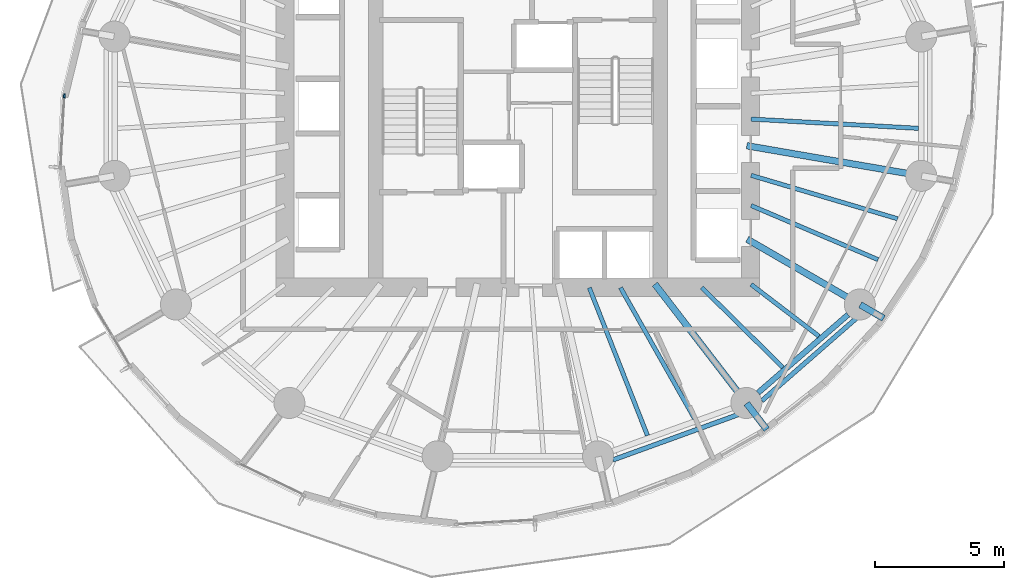
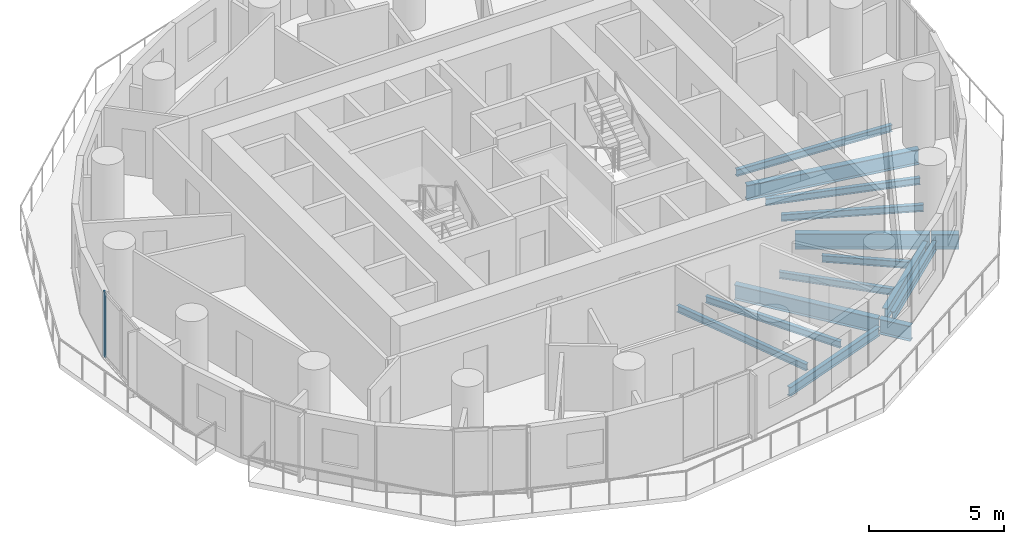
# One storey, part 3 of 15: 15 beams, 1 member, 1 element without a shape of its own.
"""IFC4 building model written with IfcOpenShell, lengths in metres."""

from ifc_helpers import new_model, si_unit, direction, frame, origin, origin_2d, place, context, subcontext, project, spatial, rectangle, i_section, extrude, material, material_profile, profile_set, type_object, element, aggregate, save


model = new_model("IFC4")

# Units and contexts
model_context = context("Model", 3, precision=1e-05, world=origin(), true_north=direction((0.0, 1.0)))
body_context = subcontext(model_context, "Body", "Model", "MODEL_VIEW")
ifc_project = project(units=[si_unit("LENGTHUNIT", "METRE"), si_unit("AREAUNIT", "SQUARE_METRE"), si_unit("VOLUMEUNIT", "CUBIC_METRE"), si_unit("PLANEANGLEUNIT", "RADIAN"), si_unit("MASSUNIT", "GRAM", prefix="KILO")], contexts=[model_context])

# Site, building, storey
site_placement = place(None, origin())
site = spatial("IfcSite", under=ifc_project, at=site_placement, CompositionType="ELEMENT")
building_placement = place(site_placement, origin())
building = spatial("IfcBuilding", under=site, at=building_placement, Name="Veldorim Arch Residences", CompositionType="ELEMENT")
storey_placement = place(building_placement, frame((0.0, 0.0, 106.080078125)))
storey = spatial("IfcBuildingStorey", under=building, at=storey_placement, Name="L31", CompositionType="ELEMENT", Elevation=106.080078125)

# Beams
ifc_material_1 = material(Name="Steel S355", Category="steel")
ifc_material_profile_1 = material_profile(ifc_material_1, i_section(OverallWidth=0.2119140625, OverallDepth=0.54443359375, WebThickness=0.0126953125, FlangeThickness=0.021240234375, at=origin_2d()), Name="UB533x210x122")
ifc_profile_set_1 = profile_set([ifc_material_profile_1], Name="Steel S355")
beam_type_1 = type_object("IfcBeamType", Name="Structural Steel Beam UB533x210x122", PredefinedType="BEAM", material=ifc_profile_set_1)
beam_1_placement = place(storey_placement, frame((41.28662109375, 12.9189453125, -0.51220703125), z_axis=(0.755244952556, 0.655442645576, 0.0), x_axis=(-0.655442645576, 0.755244952556, 0.0)))
element("IfcBeam", 1, at=beam_1_placement, inside=storey, type_object=beam_type_1, Name="L31 perimeter ring tie beam 14", PredefinedType="BEAM", context=body_context, shape_type="SweptSolid", body=[
    extrude(i_section(OverallWidth=0.2119140625, OverallDepth=0.54443359375, WebThickness=0.0126953125, FlangeThickness=0.021240234375, at=origin_2d()), origin(), (0.0, 0.0, 1.0), 4.608642578125),
])
ifc_material_2 = material(Name="Steel S355", Category="steel")
ifc_material_profile_2 = material_profile(ifc_material_2, i_section(OverallWidth=0.25439453125, OverallDepth=0.6875, WebThickness=0.01318359375, FlangeThickness=0.02099609375, at=origin_2d()), Name="UB686x254x152")
ifc_profile_set_2 = profile_set([ifc_material_profile_2], Name="Steel S355")
beam_type_2 = type_object("IfcBeamType", Name="Structural Steel GIRDER UB686x254x152", PredefinedType="USERDEFINED", material=ifc_profile_set_2)
beam_2_placement = place(storey_placement, frame((37.297607421875, 17.118896484375, -0.583740234375), z_axis=(0.609994628196, -0.792405548676, 0.0), x_axis=(0.792405548676, 0.609994628196, 0.0)))
element("IfcBeam", 2, at=beam_2_placement, inside=storey, type_object=beam_type_2, Name="L31 radial floor girder 14", ObjectType="GIRDER", PredefinedType="USERDEFINED", context=body_context, shape_type="SweptSolid", body=[
    extrude(i_section(OverallWidth=0.25439453125, OverallDepth=0.6875, WebThickness=0.01318359375, FlangeThickness=0.02099609375, at=origin_2d()), origin(), (0.0, 0.0, 1.0), 5.776611328125),
])
beam_3_placement = place(storey_placement, frame((40.845703125, 12.510009765625, -0.583740234375), z_axis=(0.610026114637, -0.792381309384, 0.0), x_axis=(0.792381309384, 0.610026114637, 0.0)))
element("IfcBeam", 3, at=beam_3_placement, inside=storey, type_object=beam_type_2, Name="L31 radial edge cantilever girder 14", ObjectType="GIRDER", PredefinedType="USERDEFINED", context=body_context, shape_type="SweptSolid", body=[
    extrude(i_section(OverallWidth=0.25439453125, OverallDepth=0.6875, WebThickness=0.01318359375, FlangeThickness=0.02099609375, at=origin_2d()), origin(), (0.0, 0.0, 1.0), 1.27197265625),
])
beam_4_placement = place(storey_placement, frame((40.8701171875, 18.85595703125, -0.583740234375), z_axis=(0.865048957682, -0.501687453314, 0.0), x_axis=(0.501687453314, 0.865048957682, 0.0)))
element("IfcBeam", 4, at=beam_4_placement, inside=storey, type_object=beam_type_2, Name="L31 radial floor girder 15", ObjectType="GIRDER", PredefinedType="USERDEFINED", context=body_context, shape_type="SweptSolid", body=[
    extrude(i_section(OverallWidth=0.25439453125, OverallDepth=0.6875, WebThickness=0.01318359375, FlangeThickness=0.02099609375, at=origin_2d()), origin(), (0.0, 0.0, 1.0), 5.009033203125),
])
beam_5_placement = place(storey_placement, frame((45.23779296875, 16.322998046875, -0.583740234375), z_axis=(0.865063622803, -0.501662165708, 0.0), x_axis=(0.501662165708, 0.865063622803, 0.0)))
element("IfcBeam", 5, at=beam_5_placement, inside=storey, type_object=beam_type_2, Name="L31 radial edge cantilever girder 15", ObjectType="GIRDER", PredefinedType="USERDEFINED", context=body_context, shape_type="SweptSolid", body=[
    extrude(i_section(OverallWidth=0.25439453125, OverallDepth=0.6875, WebThickness=0.01318359375, FlangeThickness=0.02099609375, at=origin_2d()), origin(), (0.0, 0.0, 1.0), 1.04541015625),
])
beam_6_placement = place(storey_placement, frame((40.852294921875, 22.4716796875, -0.583740234375), z_axis=(0.985426622718, -0.17010106184, 0.0), x_axis=(0.17010106184, 0.985426622718, 0.0)))
element("IfcBeam", 6, at=beam_6_placement, inside=storey, type_object=beam_type_2, Name="L31 radial floor girder 16", ObjectType="GIRDER", PredefinedType="USERDEFINED", context=body_context, shape_type="SweptSolid", body=[
    extrude(i_section(OverallWidth=0.25439453125, OverallDepth=0.6875, WebThickness=0.01318359375, FlangeThickness=0.02099609375, at=origin_2d()), origin(), (0.0, 0.0, 1.0), 6.82177734375),
])
ifc_material_3 = material(Name="Steel S355", Category="steel")
ifc_material_profile_3 = material_profile(ifc_material_3, i_section(OverallWidth=0.165771484375, OverallDepth=0.306640625, WebThickness=0.006591796875, FlangeThickness=0.01171875, at=origin_2d()), Name="UB305x165x46")
ifc_profile_set_3 = profile_set([ifc_material_profile_3], Name="Steel S355")
beam_type_3 = type_object("IfcBeamType", Name="Structural Steel Joist UB305x165x46", PredefinedType="JOIST", material=ifc_profile_set_3)
beam_7_placement = place(storey_placement, frame((34.761962890625, 16.9814453125, -0.393310546875), z_axis=(0.366194870364, -0.930538186707, 0.0), x_axis=(0.930538186707, 0.366194870364, 0.0)))
element("IfcBeam", 7, at=beam_7_placement, inside=storey, type_object=beam_type_3, Name="L31 secondary radial floor joist 13-1", PredefinedType="JOIST", context=body_context, shape_type="SweptSolid", body=[
    extrude(i_section(OverallWidth=0.165771484375, OverallDepth=0.306640625, WebThickness=0.006591796875, FlangeThickness=0.01171875, at=origin_2d()), origin(), (0.0, 0.0, 1.0), 6.1396484375),
])
beam_8_placement = place(storey_placement, frame((35.96826171875, 16.982666015625, -0.393310546875), z_axis=(0.492227411199, -0.870466642476, 0.0), x_axis=(0.870466642476, 0.492227411199, 0.0)))
element("IfcBeam", 8, at=beam_8_placement, inside=storey, type_object=beam_type_3, Name="L31 secondary radial floor joist 13-2", PredefinedType="JOIST", context=body_context, shape_type="SweptSolid", body=[
    extrude(i_section(OverallWidth=0.165771484375, OverallDepth=0.306640625, WebThickness=0.006591796875, FlangeThickness=0.01171875, at=origin_2d()), origin(), (0.0, 0.0, 1.0), 5.81494140625),
])
beam_9_placement = place(storey_placement, frame((39.114013671875, 16.986083984375, -0.393310546875), z_axis=(0.712111629941, -0.702066255066, 0.0), x_axis=(0.702066255066, 0.712111629941, 0.0)))
element("IfcBeam", 9, at=beam_9_placement, inside=storey, type_object=beam_type_3, Name="L31 secondary radial floor joist 14-1", PredefinedType="JOIST", context=body_context, shape_type="SweptSolid", body=[
    extrude(i_section(OverallWidth=0.165771484375, OverallDepth=0.306640625, WebThickness=0.006591796875, FlangeThickness=0.01171875, at=origin_2d()), origin(), (0.0, 0.0, 1.0), 4.39892578125),
])
beam_10_placement = place(storey_placement, frame((41.015869140625, 17.111572265625, -0.393310546875), z_axis=(0.794594763594, -0.60714014994, 0.0), x_axis=(0.60714014994, 0.794594763594, 0.0)))
element("IfcBeam", 10, at=beam_10_placement, inside=storey, type_object=beam_type_3, Name="L31 secondary radial floor joist 14-2", PredefinedType="JOIST", context=body_context, shape_type="SweptSolid", body=[
    extrude(i_section(OverallWidth=0.165771484375, OverallDepth=0.306640625, WebThickness=0.006591796875, FlangeThickness=0.01171875, at=origin_2d()), origin(), (0.0, 0.0, 1.0), 3.30419921875),
])
beam_11_placement = place(storey_placement, frame((41.018310546875, 20.158447265625, -0.393310546875), z_axis=(0.919997395122, -0.391924473552, 0.0), x_axis=(0.391924473552, 0.919997395122, 0.0)))
element("IfcBeam", 11, at=beam_11_placement, inside=storey, type_object=beam_type_3, Name="L31 secondary radial floor joist 15-1", PredefinedType="JOIST", context=body_context, shape_type="SweptSolid", body=[
    extrude(i_section(OverallWidth=0.165771484375, OverallDepth=0.306640625, WebThickness=0.006591796875, FlangeThickness=0.01171875, at=origin_2d()), origin(), (0.0, 0.0, 1.0), 5.334716796875),
])
beam_12_placement = place(storey_placement, frame((41.019287109375, 21.326416015625, -0.393310546875), z_axis=(0.958753061488, -0.284240333324, 0.0), x_axis=(0.284240333324, 0.958753061488, 0.0)))
element("IfcBeam", 12, at=beam_12_placement, inside=storey, type_object=beam_type_3, Name="L31 secondary radial floor joist 15-2", PredefinedType="JOIST", context=body_context, shape_type="SweptSolid", body=[
    extrude(i_section(OverallWidth=0.165771484375, OverallDepth=0.306640625, WebThickness=0.006591796875, FlangeThickness=0.01171875, at=origin_2d()), origin(), (0.0, 0.0, 1.0), 5.906005859375),
])
beam_13_placement = place(storey_placement, frame((41.02001953125, 23.501708984375, -0.393310546875), z_axis=(0.99847713097, -0.055167190702, 0.0), x_axis=(0.055167190702, 0.99847713097, 0.0)))
element("IfcBeam", 13, at=beam_13_placement, inside=storey, type_object=beam_type_3, Name="L31 secondary radial floor joist 16-1", PredefinedType="JOIST", context=body_context, shape_type="SweptSolid", body=[
    extrude(i_section(OverallWidth=0.165771484375, OverallDepth=0.306640625, WebThickness=0.006591796875, FlangeThickness=0.01171875, at=origin_2d()), origin(), (0.0, 0.0, 1.0), 6.474365234375),
])
ifc_material_4 = material(Name="Steel S355", Category="steel")
ifc_material_profile_4 = material_profile(ifc_material_4, i_section(OverallWidth=0.1787109375, OverallDepth=0.409423828125, WebThickness=0.0087890625, FlangeThickness=0.014404296875, at=origin_2d()), Name="UB406x178x67")
ifc_profile_set_4 = profile_set([ifc_material_profile_4], Name="Steel S355")
beam_type_4 = type_object("IfcBeamType", Name="Structural Steel Spandrel UB406x178x67", PredefinedType="SPANDREL", material=ifc_profile_set_4)
beam_14_placement = place(storey_placement, frame((35.672119140625, 10.3232421875, -0.46484375), z_axis=(0.940307501418, 0.340326024244, 0.0), x_axis=(-0.340326024244, 0.940307501418, 0.0)))
element("IfcBeam", 14, at=beam_14_placement, inside=storey, type_object=beam_type_4, Name="L31 perimeter chord spandrel beam 13", PredefinedType="SPANDREL", context=body_context, shape_type="SweptSolid", body=[
    extrude(i_section(OverallWidth=0.1787109375, OverallDepth=0.409423828125, WebThickness=0.0087890625, FlangeThickness=0.014404296875, at=origin_2d()), origin(), (0.0, 0.0, 1.0), 5.175048828125),
])
beam_15_placement = place(storey_placement, frame((41.4326171875, 12.611572265625, -0.46484375), z_axis=(0.753323239074, 0.65765043714, 0.0), x_axis=(-0.65765043714, 0.753323239074, 0.0)))
element("IfcBeam", 15, at=beam_15_placement, inside=storey, type_object=beam_type_4, Name="L31 perimeter chord spandrel beam 14", PredefinedType="SPANDREL", context=body_context, shape_type="SweptSolid", body=[
    extrude(i_section(OverallWidth=0.1787109375, OverallDepth=0.409423828125, WebThickness=0.0087890625, FlangeThickness=0.014404296875, at=origin_2d()), origin(), (0.0, 0.0, 1.0), 4.879150390625),
])

# Curtain wall, member
ifc_material_5 = material(Name="Aluminium", Category="aluminium")
curtain_wall_type = type_object("IfcCurtainWallType", Name="Zone 2 Solar-Control Unitised Curtain Wall", PredefinedType="NOTDEFINED", material=ifc_material_5)
curtain_wall_placement = place(storey_placement, origin())
curtain_wall = element("IfcCurtainWall", 16, at=curtain_wall_placement, inside=storey, type_object=curtain_wall_type, Name="L31 unitised curtain wall bay 16", PredefinedType="NOTDEFINED")
ifc_material_6 = material(Name="Aluminium", Category="aluminium")
ifc_material_profile_5 = material_profile(ifc_material_6, rectangle(XDim=0.06494140625, YDim=0.1650390625, at=origin_2d()), Name="ALU_MUL_65x165")
ifc_profile_set_5 = profile_set([ifc_material_profile_5], Name="Aluminium")
member_type = type_object("IfcMemberType", Name="Zone 2 Solar-Control Unitised Curtain Wall Mullion 65x165", PredefinedType="MULLION", material=ifc_profile_set_5)
member_placement = place(storey_placement, frame((14.462890625, 24.39990234375, 0.0), z_axis=(0.0, 0.0, 1.0), x_axis=(-0.998590099536, 0.053083077429, 0.0)))
member = element("IfcMember", 17, at=member_placement, type_object=member_type, Name="CW-Z2 mullion 3", PredefinedType="MULLION", context=body_context, shape_type="SweptSolid", body=[
    extrude(rectangle(XDim=0.06494140625, YDim=0.1650390625, at=origin_2d()), origin(), (0.0, 0.0, 1.0), 2.9599609375),
])
aggregate(curtain_wall, [member])

save(model, "model.ifc")
